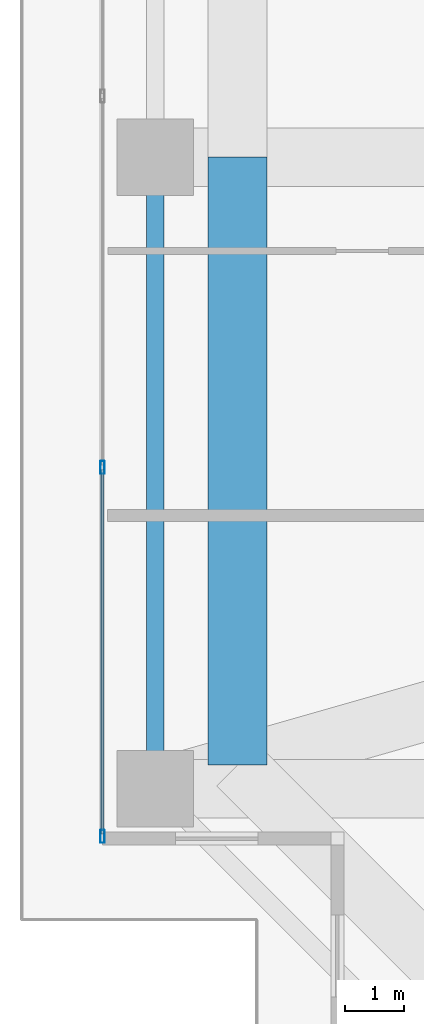
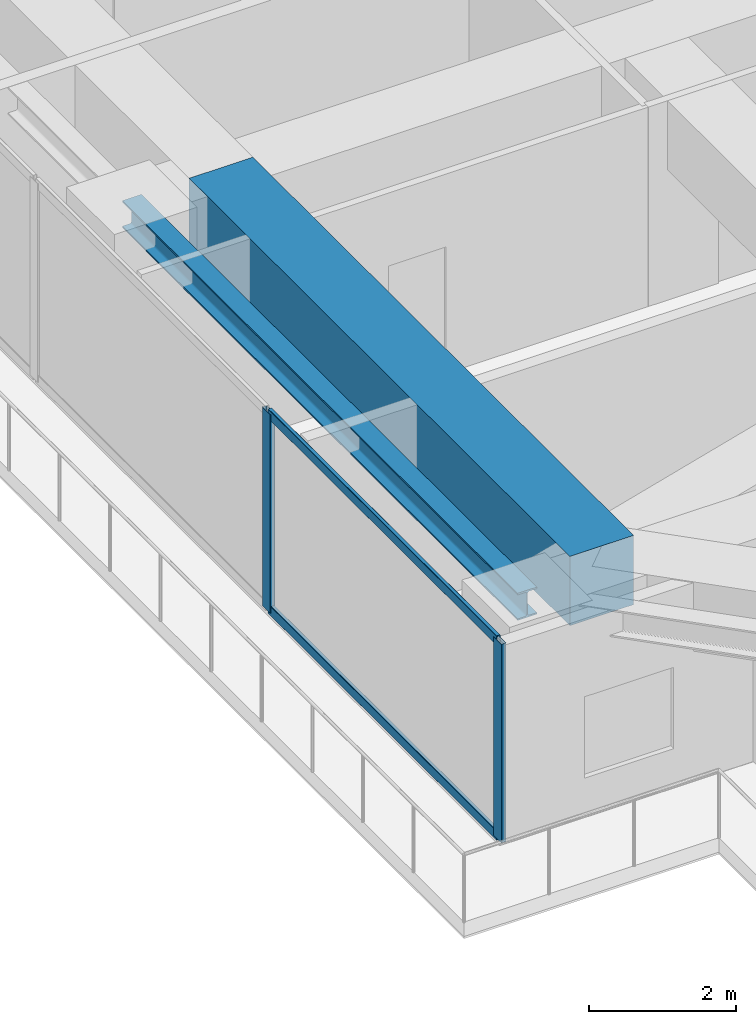
# One storey, part 3 of 32: 4 members, 2 beams, 1 element without a shape of its own.
"""IFC4 building model written with IfcOpenShell, lengths in metres."""

import ifcopenshell
import ifcopenshell.guid

model = None  # the IFC model being written
_history = None  # IfcOwnerHistory: only IFC2X3 demands one
_inside = {}  # id of a spatial element -> (the spatial element, [elements in it])
_under = {}  # id of a project, library or spatial element -> (it, [spatial elements below it])
_declared = {}  # id of a project -> (the project, [libraries it declares])
_typed = {}  # id of a type object -> (the type object, [elements of that type])
_made_of = {}  # id of a material, layer set ... -> (it, [elements and type objects made of it])


def new_model(schema):
    """Start an empty IFC model of exactly this schema.

    Asked for "IFC4X3", IfcOpenShell would pick the latest addendum, in which some entities
    have other attributes; the version numbers below select the first issue.
    IFC2X3 requires an IfcOwnerHistory on every rooted entity: one is made here for all.
    """
    global model, _history
    if schema == "IFC4X3":
        model = ifcopenshell.file(schema_version=(4, 3, 0, 0))
    else:
        model = ifcopenshell.file(schema=schema)
    _inside.clear()
    _under.clear()
    _declared.clear()
    _typed.clear()
    _made_of.clear()
    _history = None
    if model.schema == "IFC2X3":
        org = make("IfcOrganization", Name="unknown")
        user = make(
            "IfcPersonAndOrganization",
            ThePerson=make("IfcPerson", FamilyName="unknown"),
            TheOrganization=org,
        )
        app = make(
            "IfcApplication",
            ApplicationDeveloper=org,
            Version="unknown",
            ApplicationFullName="unknown",
            ApplicationIdentifier="unknown",
        )
        _history = make(
            "IfcOwnerHistory",
            OwningUser=user,
            OwningApplication=app,
            ChangeAction="ADDED",
            CreationDate=0,
        )
    return model


def make(cls, **values):
    """One entity of the class cls with the attributes given. An attribute that is None is left unset."""
    return model.create_entity(
        cls, **{name: value for name, value in values.items() if value is not None}
    )


def rooted(cls, **values):
    """An entity with a GlobalId (a new one), such as an element, a storey or a relation."""
    return make(cls, GlobalId=ifcopenshell.guid.new(), OwnerHistory=_history, **values)


def si_unit(unit_type, name, prefix=None):
    """IfcSIUnit, for example si_unit("LENGTHUNIT", "METRE", prefix="MILLI")."""
    return make("IfcSIUnit", UnitType=unit_type, Prefix=prefix, Name=name)


def assignment(units):
    """IfcUnitAssignment: the units of a project."""
    return None if units is None else make("IfcUnitAssignment", Units=units)


def point(xyz):
    """IfcCartesianPoint."""
    return None if xyz is None else make("IfcCartesianPoint", Coordinates=xyz)


def direction(xyz):
    """IfcDirection."""
    return None if xyz is None else make("IfcDirection", DirectionRatios=xyz)


def frame(location, z_axis=None, x_axis=None):
    """IfcAxis2Placement3D, a coordinate frame: its origin and axes. An axis left out is left unset."""
    return make(
        "IfcAxis2Placement3D",
        Location=point(location),
        Axis=direction(z_axis),
        RefDirection=direction(x_axis),
    )


def frame_2d(location, x_axis=None):
    """IfcAxis2Placement2D, a coordinate frame in the plane: its origin and x axis."""
    return make(
        "IfcAxis2Placement2D", Location=point(location), RefDirection=direction(x_axis)
    )


def origin():
    """The frame at (0, 0, 0) with its axes left unset."""
    return frame((0.0, 0.0, 0.0))


def origin_2d():
    """The frame at (0, 0) in the plane with its x axis left unset."""
    return frame_2d((0.0, 0.0))


def place(relative_to, where):
    """IfcLocalPlacement: puts the frame where relative to a parent placement (None: the world)."""
    return make(
        "IfcLocalPlacement", PlacementRelTo=relative_to, RelativePlacement=where
    )


def context(
    kind, dimensions, precision=None, world=None, true_north=None, identifier=None
):
    """IfcGeometricRepresentationContext, for example the 3D "Model" context."""
    return make(
        "IfcGeometricRepresentationContext",
        ContextIdentifier=identifier,
        ContextType=kind,
        CoordinateSpaceDimension=dimensions,
        Precision=precision,
        WorldCoordinateSystem=world,
        TrueNorth=true_north,
    )


def subcontext(parent, identifier, kind, view, scale=None):
    """IfcGeometricRepresentationSubContext, for example "Body" below "Model"."""
    return make(
        "IfcGeometricRepresentationSubContext",
        ContextIdentifier=identifier,
        ContextType=kind,
        ParentContext=parent,
        TargetScale=scale,
        TargetView=view,
    )


def project(units=None, contexts=None):
    """IfcProject with its units and contexts."""
    return rooted(
        "IfcProject",
        Name="project",
        RepresentationContexts=contexts,
        UnitsInContext=assignment(units),
    )


def spatial(cls, under=None, at=None, **own):
    """A site, building, storey or space (cls), placed at a placement, below another one or the project."""
    s = rooted(cls, ObjectPlacement=at, **own)
    if under is not None:
        _under.setdefault(under.id(), (under, []))[1].append(s)
    return s


def profile(cls, at=None, kind="AREA", **sizes):
    """A parametric profile (cls). Its sizes go by their IFC names, for example OverallWidth=200.0."""
    return make(cls, ProfileType=kind, Position=at, **sizes)


def rectangle(**sizes):
    """IfcRectangleProfileDef."""
    return profile("IfcRectangleProfileDef", **sizes)


def hollow_rectangle(**sizes):
    """IfcRectangleHollowProfileDef."""
    return profile("IfcRectangleHollowProfileDef", **sizes)


def i_section(**sizes):
    """IfcIShapeProfileDef."""
    return profile("IfcIShapeProfileDef", **sizes)


def extrude(swept, where, along, depth):
    """IfcExtrudedAreaSolid: the profile swept, set in the frame where, extruded along a direction by depth."""
    return make(
        "IfcExtrudedAreaSolid",
        SweptArea=swept,
        Position=where,
        ExtrudedDirection=direction(along),
        Depth=depth,
    )


def shape(context_of_items, identifier, shape_type, items):
    """IfcShapeRepresentation: the items that make up one representation, for example the "Body"."""
    return make(
        "IfcShapeRepresentation",
        ContextOfItems=context_of_items,
        RepresentationIdentifier=identifier,
        RepresentationType=shape_type,
        Items=items,
    )


def source(mapping_origin, context_of_items, identifier, shape_type, items):
    """IfcRepresentationMap: a shape defined once, which mapped items show again and again."""
    return make(
        "IfcRepresentationMap",
        MappingOrigin=mapping_origin,
        MappedRepresentation=shape(context_of_items, identifier, shape_type, items),
    )


def transform(
    local_origin,
    x_axis=None,
    y_axis=None,
    z_axis=None,
    scale=None,
    scale2=None,
    scale3=None,
    uniform=True,
):
    """IfcCartesianTransformationOperator3D, or its non-uniform kind. x_axis, y_axis, z_axis: its Axis1, 2, 3."""
    if uniform:
        return make(
            "IfcCartesianTransformationOperator3D",
            Axis1=direction(x_axis),
            Axis2=direction(y_axis),
            LocalOrigin=point(local_origin),
            Scale=scale,
            Axis3=direction(z_axis),
        )
    return make(
        "IfcCartesianTransformationOperator3DnonUniform",
        Axis1=direction(x_axis),
        Axis2=direction(y_axis),
        LocalOrigin=point(local_origin),
        Scale=scale,
        Axis3=direction(z_axis),
        Scale2=scale2,
        Scale3=scale3,
    )


def mapped(mapping_source, mapping_target):
    """IfcMappedItem: shows the shape of a source again, moved by a transform."""
    return make(
        "IfcMappedItem", MappingSource=mapping_source, MappingTarget=mapping_target
    )


def material(Name=None, Category=None):
    """IfcMaterial."""
    return make("IfcMaterial", Name=Name, Category=Category)


def layer(
    of_material, thickness, ventilated=None, Name=None, Category=None, Priority=None
):
    """IfcMaterialLayer: one layer of a wall or slab, of a material (None: an air gap)."""
    return make(
        "IfcMaterialLayer",
        Material=of_material,
        LayerThickness=thickness,
        IsVentilated=ventilated,
        Name=Name,
        Category=Category,
        Priority=Priority,
    )


def layer_set(layers, Name=None):
    """IfcMaterialLayerSet."""
    return make("IfcMaterialLayerSet", MaterialLayers=layers, LayerSetName=Name)


def material_profile(
    of_material, cross_section, Name=None, Category=None, Priority=None
):
    """IfcMaterialProfile: a cross section and its material."""
    return make(
        "IfcMaterialProfile",
        Name=Name,
        Material=of_material,
        Profile=cross_section,
        Priority=Priority,
        Category=Category,
    )


def profile_set(profiles, Name=None, composite=None):
    """IfcMaterialProfileSet."""
    return make(
        "IfcMaterialProfileSet",
        Name=Name,
        MaterialProfiles=profiles,
        CompositeProfile=composite,
    )


def made_of(thing, what):
    """Note that an element or type object is made of a material, layer set ...; save() writes the relation."""
    if what is not None:
        _made_of.setdefault(what.id(), (what, []))[1].append(thing)
    return thing


def type_object(cls, material=None, **own):
    """A type object (cls), such as IfcWallType, which elements share."""
    return made_of(rooted(cls, **own), material)


def element(
    cls,
    number,
    at=None,
    inside=None,
    cuts=None,
    type_object=None,
    material=None,
    context=None,
    identifier="Body",
    shape_type=None,
    held_by="IfcProductDefinitionShape",
    body=None,
    shapes=None,
    **own,
):
    """One element of the class cls, such as IfcWall. Its Tag is "e" and its number.

    at: its placement. inside: the storey or other place that contains it. cuts: it is an
    opening in that element (IfcRelVoidsElement). A single representation is given by context,
    identifier, shape_type and body (its items); several are given by shapes. held_by: the class
    of the entity that holds the representations. save() writes the other relations.
    """
    e = rooted(cls, Tag="e%d" % number, ObjectPlacement=at, **own)
    if body is not None:
        shapes = [shape(context, identifier, shape_type, body)]
    if shapes is not None:
        e.Representation = make(held_by, Representations=shapes)
    if inside is not None:
        _inside.setdefault(inside.id(), (inside, []))[1].append(e)
    if cuts is not None:
        rooted(
            "IfcRelVoidsElement", RelatingBuildingElement=cuts, RelatedOpeningElement=e
        )
    if type_object is not None:
        _typed.setdefault(type_object.id(), (type_object, []))[1].append(e)
    return made_of(e, material)


def aggregate(whole, parts):
    """IfcRelAggregates: a whole, such as a stair, and the parts it consists of."""
    return rooted("IfcRelAggregates", RelatingObject=whole, RelatedObjects=parts)


def save(model, path):
    """Write the relations noted so far, then the file.

    IfcRelAggregates (storeys below a building ...), IfcRelContainedInSpatialStructure (elements
    in a storey), IfcRelDefinesByType, IfcRelAssociatesMaterial and IfcRelDeclares: one each for
    every whole, place, type object, material and project.
    """
    for whole, parts in _under.values():
        aggregate(whole, parts)
    for where, things in _inside.values():
        rooted(
            "IfcRelContainedInSpatialStructure",
            RelatedElements=things,
            RelatingStructure=where,
        )
    for kind, things in _typed.values():
        rooted("IfcRelDefinesByType", RelatedObjects=things, RelatingType=kind)
    for what, things in _made_of.values():
        rooted("IfcRelAssociatesMaterial", RelatedObjects=things, RelatingMaterial=what)
    for by, libraries in _declared.values():
        rooted("IfcRelDeclares", RelatingContext=by, RelatedDefinitions=libraries)
    model.write(path)


model = new_model("IFC4")

# Units and contexts
model_context = context("Model", 3, precision=1e-05, world=origin(), true_north=direction((0.0, 1.0)))
body_context = subcontext(model_context, "Body", "Model", "MODEL_VIEW")
ifc_project = project(units=[si_unit("LENGTHUNIT", "METRE"), si_unit("AREAUNIT", "SQUARE_METRE"), si_unit("VOLUMEUNIT", "CUBIC_METRE"), si_unit("PLANEANGLEUNIT", "RADIAN"), si_unit("MASSUNIT", "GRAM", prefix="KILO")], contexts=[model_context])

# Site, building, storey
site_placement = place(None, origin())
site = spatial("IfcSite", under=ifc_project, at=site_placement, CompositionType="ELEMENT")
building_placement = place(site_placement, origin())
building = spatial("IfcBuilding", under=site, at=building_placement, Name="Serunith Strait Residences", CompositionType="ELEMENT")
storey_placement = place(building_placement, frame((0.0, 0.0, 195.14990234375)))
storey = spatial("IfcBuildingStorey", under=building, at=storey_placement, Name="L49", CompositionType="ELEMENT", Elevation=195.14990234375)

# Beams
ifc_material_1 = material(Name="Steel S355J2", Category="steel")
ifc_material_profile_1 = material_profile(ifc_material_1, i_section(OverallWidth=0.300048828125, OverallDepth=0.449951171875, WebThickness=0.013916015625, FlangeThickness=0.02587890625, FilletRadius=0.027099609375, at=origin_2d()), Name="HEB 450")
ifc_profile_set_1 = profile_set([ifc_material_profile_1], Name="Steel S355J2")
beam_type_1 = type_object("IfcBeamType", Name="BM-HEB450", PredefinedType="BEAM", material=ifc_profile_set_1)
shared_shape_1 = source(origin(), body_context, "Body", "SweptSolid", [
    extrude(i_section(OverallWidth=0.300048828125, OverallDepth=0.449951171875, WebThickness=0.013916015625, FlangeThickness=0.02587890625, FilletRadius=0.027099609375, at=origin_2d()), origin(), (0.0, 0.0, 1.0), 10.75),
])
beam_1_placement = place(storey_placement, frame((8.699951171875, 21.0, 3.08203125), z_axis=(0.0, -1.0, 0.0), x_axis=(1.0, 0.0, 0.0)))
element("IfcBeam", 1, at=beam_1_placement, inside=storey, type_object=beam_type_1, Name="L49 Perimeter Ring Beam 15", PredefinedType="BEAM", context=body_context, shape_type="MappedRepresentation", body=[
    mapped(shared_shape_1, transform((0.0, 0.0, 0.0), scale=1.0)),
])
ifc_material_2 = material(Name="Concrete C80/95", Category="concrete")
ifc_material_profile_2 = material_profile(ifc_material_2, rectangle(XDim=1.0, YDim=1.14990234375, at=origin_2d()), Name="RC 1000x1150")
ifc_profile_set_2 = profile_set([ifc_material_profile_2], Name="Concrete C80/95")
beam_type_2 = type_object("IfcBeamType", Name="BM-XFER-1000x1150", PredefinedType="BEAM", material=ifc_profile_set_2)
shared_shape_2 = source(origin(), body_context, "Body", "SweptSolid", [
    extrude(rectangle(XDim=1.0, YDim=1.14990234375, at=origin_2d()), origin(), (0.0, 0.0, 1.0), 10.35009765625),
])
beam_2_placement = place(storey_placement, frame((10.10009765625, 21.0, 2.735107421875), z_axis=(0.0, -1.0, 0.0), x_axis=(1.0, 0.0, 0.0)))
element("IfcBeam", 2, at=beam_2_placement, inside=storey, type_object=beam_type_2, Name="L49 Flare Upper Ring Transfer Girder 15", PredefinedType="BEAM", context=body_context, shape_type="MappedRepresentation", body=[
    mapped(shared_shape_2, transform((0.0, 0.0, 0.0), scale=1.0)),
])

# Curtain wall, members
ifc_material_3 = material(Name="Pale-Silver PVDF Aluminium", Category="aluminium")
ifc_layer = layer(ifc_material_3, 0.199951171875, Name="Pale-Silver PVDF Aluminium")
ifc_layer_set = layer_set([ifc_layer], Name="Pale-Silver PVDF Aluminium")
curtain_wall_type = type_object("IfcCurtainWallType", Name="CW-SYS3", PredefinedType="NOTDEFINED", material=ifc_layer_set)
curtain_wall_placement = place(storey_placement, origin())
curtain_wall = element("IfcCurtainWall", 3, at=curtain_wall_placement, inside=storey, type_object=curtain_wall_type, Name="L49 W Unitised Fritted Curtain Wall", PredefinedType="NOTDEFINED")
ifc_material_profile_3 = material_profile(ifc_material_3, hollow_rectangle(XDim=0.06005859375, YDim=0.159912109375, WallThickness=0.00341796875, InnerFilletRadius=0.00537109375, OuterFilletRadius=0.0087890625, at=origin_2d()), Name="ALU 160x60x3.5")
ifc_profile_set_3 = profile_set([ifc_material_profile_3], Name="Pale-Silver PVDF Aluminium")
member_type_1 = type_object("IfcMemberType", Name="CW-SYS3-TRAN", PredefinedType="USERDEFINED", material=ifc_profile_set_3)
shared_shape_3 = source(origin(), body_context, "Body", "SweptSolid", [
    extrude(hollow_rectangle(XDim=0.06005859375, YDim=0.159912109375, WallThickness=0.00341796875, InnerFilletRadius=0.00537109375, OuterFilletRadius=0.0087890625, at=origin_2d()), origin(), (0.0, 0.0, 1.0), 6.20751953125),
])
member_1_placement = place(storey_placement, frame((7.800048828125, 15.6826171875, 0.030029296875), z_axis=(0.0, -1.0, 0.0), x_axis=(1.0, 0.0, 0.0)))
member_1 = element("IfcMember", 4, at=member_1_placement, type_object=member_type_1, Name="CW-3 transom 5.1", ObjectType="TRANSOM", PredefinedType="USERDEFINED", context=body_context, shape_type="MappedRepresentation", body=[
    mapped(shared_shape_3, transform((0.0, 0.0, 0.0), scale=1.0)),
])
member_2_placement = place(storey_placement, frame((7.800048828125, 15.6826171875, 3.26513671875), z_axis=(0.0, -1.0, 0.0), x_axis=(1.0, 0.0, 0.0)))
member_2 = element("IfcMember", 5, at=member_2_placement, type_object=member_type_1, Name="CW-3 transom 5.2", ObjectType="TRANSOM", PredefinedType="USERDEFINED", context=body_context, shape_type="MappedRepresentation", body=[
    mapped(shared_shape_3, transform((0.0, 0.0, 0.0), scale=1.0)),
])
ifc_material_profile_4 = material_profile(ifc_material_3, hollow_rectangle(XDim=0.074951171875, YDim=0.219970703125, WallThickness=0.00390625, InnerFilletRadius=0.006103515625, OuterFilletRadius=0.010009765625, at=origin_2d()), Name="ALU 220x75x4")
ifc_profile_set_4 = profile_set([ifc_material_profile_4], Name="Pale-Silver PVDF Aluminium")
member_type_2 = type_object("IfcMemberType", Name="CW-SYS3-MULL", PredefinedType="MULLION", material=ifc_profile_set_4)
shared_shape_4 = source(origin(), body_context, "Body", "SweptSolid", [
    extrude(hollow_rectangle(XDim=0.074951171875, YDim=0.219970703125, WallThickness=0.00390625, InnerFilletRadius=0.006103515625, OuterFilletRadius=0.010009765625, at=origin_2d()), origin(), (0.0, 0.0, 1.0), 3.295166015625),
])
member_3_placement = place(storey_placement, frame((7.800048828125, 15.719970703125, 0.0), z_axis=(0.0, 0.0, 1.0), x_axis=(1.0, 0.0, 0.0)))
member_3 = element("IfcMember", 6, at=member_3_placement, type_object=member_type_2, Name="CW-3 mullion 5", PredefinedType="MULLION", context=body_context, shape_type="MappedRepresentation", body=[
    mapped(shared_shape_4, transform((0.0, 0.0, 0.0), scale=1.0)),
])
member_4_placement = place(storey_placement, frame((7.800048828125, 9.4375, 0.0), z_axis=(0.0, 0.0, 1.0), x_axis=(1.0, 0.0, 0.0)))
member_4 = element("IfcMember", 7, at=member_4_placement, type_object=member_type_2, Name="CW-3 mullion 6", PredefinedType="MULLION", context=body_context, shape_type="MappedRepresentation", body=[
    mapped(shared_shape_4, transform((0.0, 0.0, 0.0), scale=1.0)),
])
aggregate(curtain_wall, [member_3, member_4, member_1, member_2])

save(model, "model.ifc")
